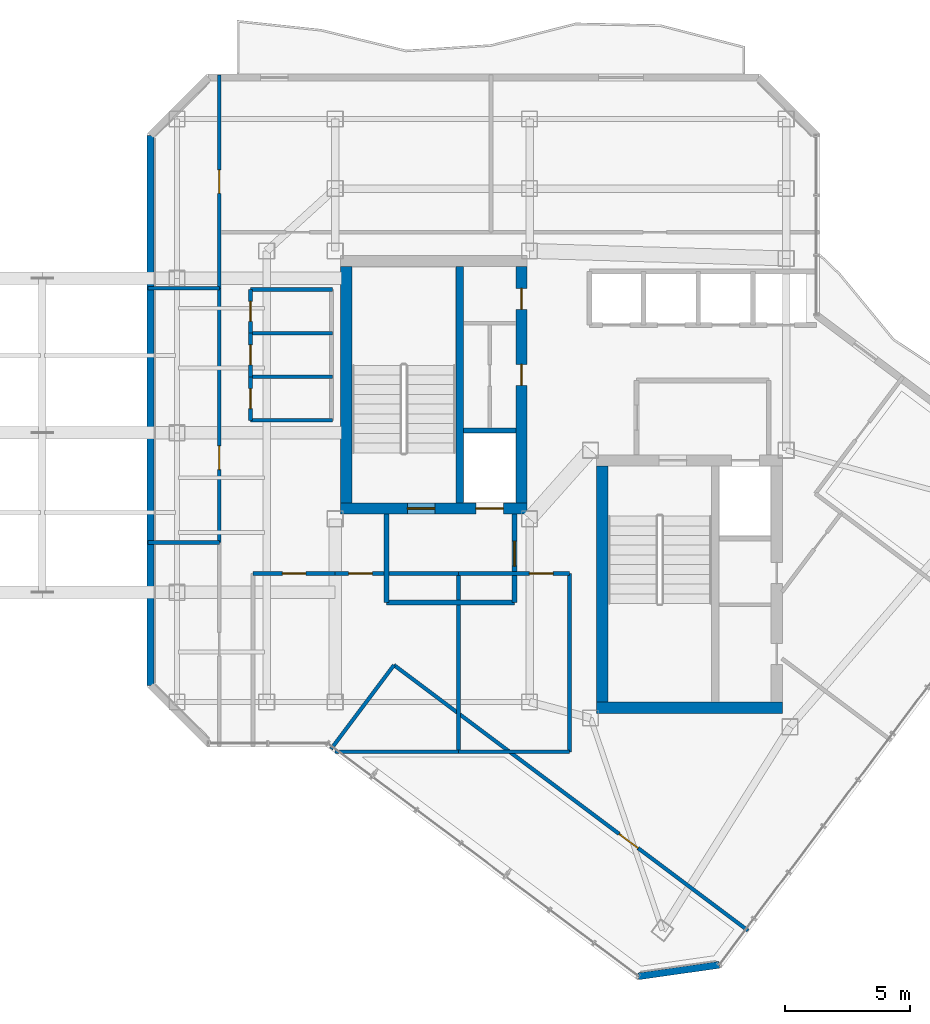
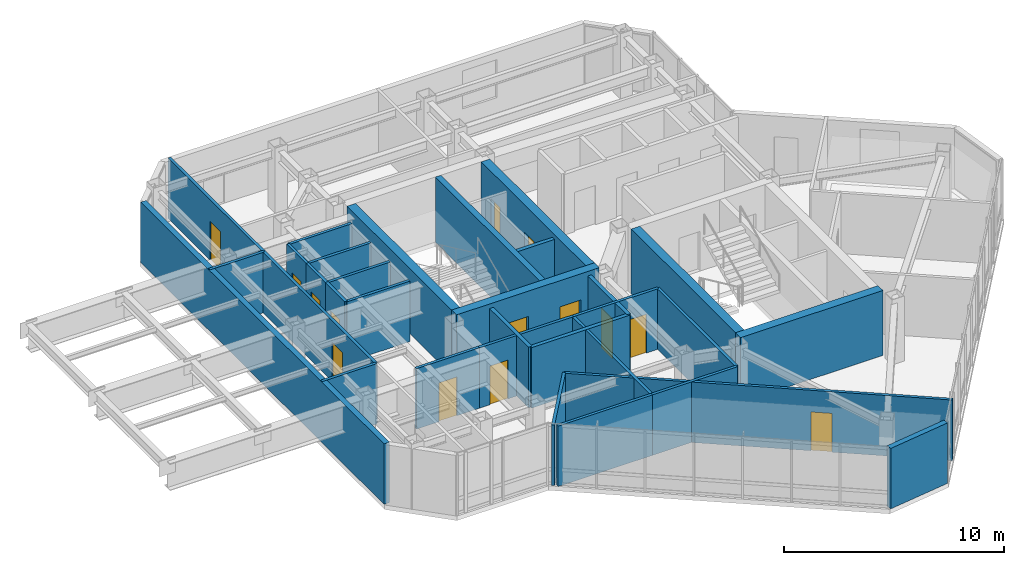
# One storey, part 12 of 17: 32 walls, 14 doors, 14 openings.
"""IFC4 building model written with IfcOpenShell, lengths in metres."""

from ifc_helpers import new_model, si_unit, direction, frame, frame_2d, origin, place, context, subcontext, project, spatial, rectangle, extrude, material, layer, layer_set, type_object, element, fill, save


model = new_model("IFC4")

# Units and contexts
model_context = context("Model", 3, precision=1e-05, world=origin(), true_north=direction((0.0, 1.0)))
body_context = subcontext(model_context, "Body", "Model", "MODEL_VIEW")
ifc_project = project(units=[si_unit("LENGTHUNIT", "METRE"), si_unit("AREAUNIT", "SQUARE_METRE"), si_unit("VOLUMEUNIT", "CUBIC_METRE"), si_unit("PLANEANGLEUNIT", "RADIAN"), si_unit("MASSUNIT", "GRAM", prefix="KILO")], contexts=[model_context])

# Site, building, storey
site_placement = place(None, origin())
site = spatial("IfcSite", under=ifc_project, at=site_placement, CompositionType="ELEMENT")
building_placement = place(site_placement, origin())
building = spatial("IfcBuilding", under=site, at=building_placement, Name="Hatsunagi Terrace Concourse", CompositionType="ELEMENT")
storey_placement = place(building_placement, frame((0.0, 0.0, 253.949951171875)))
storey = spatial("IfcBuildingStorey", under=building, at=storey_placement, Name="L67", CompositionType="ELEMENT", Elevation=253.949951171875)

# Wall, openings, doors
ifc_material_1 = material(Name="Concrete Fc42", Category="concrete")
ifc_layer_1 = layer(ifc_material_1, 0.449951171875)
ifc_layer_set_1 = layer_set([ifc_layer_1], Name="CoreShearWall_Fc42_450")
wall_type_1 = type_object("IfcWallType", Name="CoreShearWall_Fc42_450", PredefinedType="SHEAR", material=ifc_layer_set_1)
wall_1_placement = place(storey_placement, frame((25.77001953125, 32.965087890625, 0.0), z_axis=(0.0, 0.0, 1.0), x_axis=(1.0, 0.0, 0.0)))
wall_1 = element("IfcWall", 1, at=wall_1_placement, inside=storey, type_object=wall_type_1, Name="Core A Shear Wall S L67", PredefinedType="SHEAR", context=body_context, shape_type="SweptSolid", body=[
    extrude(rectangle(XDim=7.47998046875, YDim=0.449951171875, at=frame_2d((3.739990234375, 0.0))), origin(), (0.0, 0.0, 1.0), 3.60009765625),
])
opening_1_placement = place(wall_1_placement, frame((2.679931640625, 0.0, 0.0)))
opening_1 = element("IfcOpeningElement", 2, at=opening_1_placement, cuts=wall_1, Name="Opening DR-110S", PredefinedType="OPENING", context=body_context, shape_type="SweptSolid", body=[
    extrude(rectangle(XDim=1.10009765625, YDim=2.199951171875, at=frame_2d((0.550048828125, 1.10009765625))), frame((0.0, 0.23486328125, 0.0), z_axis=(0.0, -1.0, 0.0), x_axis=(1.0, 0.0, 0.0)), (0.0, 0.0, 1.0), 0.469970703125),
])
opening_2_placement = place(wall_1_placement, frame((5.429931640625, 0.0, 0.0)))
opening_2 = element("IfcOpeningElement", 3, at=opening_2_placement, cuts=wall_1, Name="Opening LD-01", PredefinedType="OPENING", context=body_context, shape_type="SweptSolid", body=[
    extrude(rectangle(XDim=1.10009765625, YDim=2.14990234375, at=frame_2d((0.550048828125, 1.074951171875))), frame((0.0, 0.23486328125, 0.0), z_axis=(0.0, -1.0, 0.0), x_axis=(1.0, 0.0, 0.0)), (0.0, 0.0, 1.0), 0.469970703125),
])
ifc_material_2 = material(Name="Stainless steel", Category="steel")
door_type_1 = type_object("IfcDoorType", Name="LiftLandingDoor_LD01", OperationType="SLIDING_TO_LEFT", PredefinedType="USERDEFINED", material=ifc_material_2)
door_1_placement = place(opening_2_placement, origin())
door_1 = element("IfcDoor", 4, at=door_1_placement, inside=storey, type_object=door_type_1, Name="Lift landing door FF-01 L67", ObjectType="SLIDING_LANDING_DOOR", OperationType="SLIDING_TO_LEFT", OverallHeight=2.14990234375, OverallWidth=1.10009765625, PredefinedType="USERDEFINED", context=body_context, shape_type="SweptSolid", body=[
    extrude(rectangle(XDim=1.10009765625, YDim=2.14990234375, at=frame_2d((0.550048828125, 1.074951171875))), frame((0.0, 0.02490234375, 0.0), z_axis=(0.0, -1.0, 0.0), x_axis=(1.0, 0.0, 0.0)), (0.0, 0.0, 1.0), 0.050048828125),
])
fill(opening_2, door_1)
ifc_material_3 = material(Name="Painted steel", Category="steel")
door_type_2 = type_object("IfcDoorType", Name="StairFireDoor_EI60_1100", OperationType="NOTDEFINED", PredefinedType="DOOR", material=ifc_material_3)
door_2_placement = place(opening_1_placement, origin())
door_2 = element("IfcDoor", 5, at=door_2_placement, inside=storey, type_object=door_type_2, Name="Stair ST-A Exit Door L67", OperationType="SINGLE_SWING_LEFT", OverallHeight=2.199951171875, OverallWidth=1.10009765625, PredefinedType="DOOR", context=body_context, shape_type="SweptSolid", body=[
    extrude(rectangle(XDim=1.10009765625, YDim=2.199951171875, at=frame_2d((0.550048828125, 1.10009765625))), frame((0.0, 0.02490234375, 0.0), z_axis=(0.0, -1.0, 0.0), x_axis=(1.0, 0.0, 0.0)), (0.0, 0.0, 1.0), 0.050048828125),
])
fill(opening_1, door_2)

# Wall
wall_2_placement = place(storey_placement, frame((25.9951171875, 33.18994140625, 0.0), z_axis=(0.0, 0.0, 1.0), x_axis=(0.0, 1.0, 0.0)))
element("IfcWall", 6, at=wall_2_placement, inside=storey, type_object=wall_type_1, Name="Core A Shear Wall W L67", PredefinedType="SHEAR", context=body_context, shape_type="SweptSolid", body=[
    extrude(rectangle(XDim=9.47998046875, YDim=0.449951171875, at=frame_2d((4.739990234375, 0.0))), origin(), (0.0, 0.0, 1.0), 3.60009765625),
])

# Wall, openings, doors
wall_3_placement = place(storey_placement, frame((33.02490234375, 33.18994140625, 0.0), z_axis=(0.0, 0.0, 1.0), x_axis=(0.0, 1.0, 0.0)))
wall_3 = element("IfcWall", 7, at=wall_3_placement, inside=storey, type_object=wall_type_1, Name="Core A Shear Wall E L67", PredefinedType="SHEAR", context=body_context, shape_type="SweptSolid", body=[
    extrude(rectangle(XDim=9.47998046875, YDim=0.449951171875, at=frame_2d((4.739990234375, 0.0))), origin(), (0.0, 0.0, 1.0), 3.60009765625),
])
opening_3_placement = place(wall_3_placement, frame((4.7099609375, 0.0, 0.0)))
opening_3 = element("IfcOpeningElement", 8, at=opening_3_placement, cuts=wall_3, Name="Opening DR-085", PredefinedType="OPENING", context=body_context, shape_type="SweptSolid", body=[
    extrude(rectangle(XDim=0.85009765625, YDim=2.080078125, at=frame_2d((0.425048828125, 1.0400390625))), frame((0.0, 0.23486328125, 0.0), z_axis=(0.0, -1.0, 0.0), x_axis=(1.0, 0.0, 0.0)), (0.0, 0.0, 1.0), 0.469970703125),
])
opening_4_placement = place(wall_3_placement, frame((7.760009765625, 0.0, 0.0)))
opening_4 = element("IfcOpeningElement", 9, at=opening_4_placement, cuts=wall_3, Name="Opening DR-085", PredefinedType="OPENING", context=body_context, shape_type="SweptSolid", body=[
    extrude(rectangle(XDim=0.85009765625, YDim=2.080078125, at=frame_2d((0.425048828125, 1.0400390625))), frame((0.0, 0.23486328125, 0.0), z_axis=(0.0, -1.0, 0.0), x_axis=(1.0, 0.0, 0.0)), (0.0, 0.0, 1.0), 0.469970703125),
])
ifc_material_4 = material(Name="Painted steel", Category="steel")
door_type_3 = type_object("IfcDoorType", Name="RiserAccessDoor_EI60_850", OperationType="NOTDEFINED", PredefinedType="DOOR", material=ifc_material_4)
door_3_placement = place(opening_3_placement, origin())
door_3 = element("IfcDoor", 10, at=door_3_placement, inside=storey, type_object=door_type_3, Name="Core A Riser Door L67-1", OperationType="SINGLE_SWING_LEFT", OverallHeight=2.080078125, OverallWidth=0.85009765625, PredefinedType="DOOR", context=body_context, shape_type="SweptSolid", body=[
    extrude(rectangle(XDim=0.85009765625, YDim=2.080078125, at=frame_2d((0.425048828125, 1.0400390625))), frame((0.0, 0.02490234375, 0.0), z_axis=(0.0, -1.0, 0.0), x_axis=(1.0, 0.0, 0.0)), (0.0, 0.0, 1.0), 0.050048828125),
])
fill(opening_3, door_3)
door_4_placement = place(opening_4_placement, origin())
door_4 = element("IfcDoor", 11, at=door_4_placement, inside=storey, type_object=door_type_3, Name="Core A Riser Door L67-2", OperationType="SINGLE_SWING_LEFT", OverallHeight=2.080078125, OverallWidth=0.85009765625, PredefinedType="DOOR", context=body_context, shape_type="SweptSolid", body=[
    extrude(rectangle(XDim=0.85009765625, YDim=2.080078125, at=frame_2d((0.425048828125, 1.0400390625))), frame((0.0, 0.02490234375, 0.0), z_axis=(0.0, -1.0, 0.0), x_axis=(1.0, 0.0, 0.0)), (0.0, 0.0, 1.0), 0.050048828125),
])
fill(opening_4, door_4)

# Walls
wall_4_placement = place(storey_placement, frame((36.0400390625, 24.965087890625, 0.0), z_axis=(0.0, 0.0, 1.0), x_axis=(1.0, 0.0, 0.0)))
element("IfcWall", 12, at=wall_4_placement, inside=storey, type_object=wall_type_1, Name="Core B Shear Wall S L67", PredefinedType="SHEAR", context=body_context, shape_type="SweptSolid", body=[
    extrude(rectangle(XDim=7.4599609375, YDim=0.449951171875, at=frame_2d((3.72998046875, 0.0))), origin(), (0.0, 0.0, 1.0), 3.60009765625),
])
wall_5_placement = place(storey_placement, frame((36.264892578125, 25.18994140625, 0.0), z_axis=(0.0, 0.0, 1.0), x_axis=(0.0, 1.0, 0.0)))
element("IfcWall", 13, at=wall_5_placement, inside=storey, type_object=wall_type_1, Name="Core B Shear Wall W L67", PredefinedType="SHEAR", context=body_context, shape_type="SweptSolid", body=[
    extrude(rectangle(XDim=9.47998046875, YDim=0.449951171875, at=frame_2d((4.739990234375, 0.0))), origin(), (0.0, 0.0, 1.0), 3.60009765625),
])
ifc_material_5 = material(Name="Concrete Fc48", Category="concrete")
ifc_layer_2 = layer(ifc_material_5, 0.300048828125)
ifc_layer_set_2 = layer_set([ifc_layer_2], Name="CoreStairDivider_Fc48_300")
wall_type_2 = type_object("IfcWallType", Name="CoreStairDivider_Fc48_300", PredefinedType="SHEAR", material=ifc_layer_set_2)
wall_6_placement = place(storey_placement, frame((30.5400390625, 33.18994140625, 0.0), z_axis=(0.0, 0.0, 1.0), x_axis=(0.0, 1.0, 0.0)))
element("IfcWall", 14, at=wall_6_placement, inside=storey, type_object=wall_type_2, Name="Core A Shear Wall D L67", PredefinedType="SHEAR", context=body_context, shape_type="SweptSolid", body=[
    extrude(rectangle(XDim=9.47998046875, YDim=0.300048828125, at=frame_2d((4.739990234375, 0.0))), origin(), (0.0, 0.0, 1.0), 3.60009765625),
])
ifc_material_6 = material(Name="Acoustic mineral board", Category="gypsum")
ifc_layer_3 = layer(ifc_material_6, 0.14990234375)
ifc_layer_set_3 = layer_set([ifc_layer_3], Name="PartitionWall_EI60_150")
wall_type_3 = type_object("IfcWallType", Name="PartitionWall_EI60_150", PredefinedType="PARTITIONING", material=ifc_layer_set_3)
for number, where, z_axis, x_axis, name in (
    (15, (22.14990234375, 36.5, 0.0), (0.0, 0.0, 1.0), (1.0, 0.0, 0.0), "Interior Partition IW-L67-018"),
    (16, (22.14990234375, 41.75, 0.0), (0.0, 0.0, 1.0), (1.0, 0.0, 0.0), "Interior Partition IW-L67-019"),
    (17, (22.14990234375, 38.25, 0.0), (0.0, 0.0, 1.0), (1.0, 0.0, 0.0), "Interior Partition IW-L67-021"),
    (18, (22.14990234375, 40.0, 0.0), (0.0, 0.0, 1.0), (1.0, 0.0, 0.0), "Interior Partition IW-L67-022"),
):
    element("IfcWall", number, at=place(storey_placement, frame(where, z_axis=z_axis, x_axis=x_axis)), inside=storey, type_object=wall_type_3, Name=name, PredefinedType="PARTITIONING", context=body_context, shape_type="SweptSolid", body=[
        extrude(rectangle(XDim=3.300048828125, YDim=0.14990234375, at=frame_2d((1.64990234375, 0.0))), origin(), (0.0, 0.0, 1.0), 3.35009765625),
    ])

# Wall, opening, door
wall_7_placement = place(storey_placement, frame((22.14990234375, 36.5, 0.0), z_axis=(0.0, 0.0, 1.0), x_axis=(0.0, 1.0, 0.0)))
wall_7 = element("IfcWall", 19, at=wall_7_placement, inside=storey, type_object=wall_type_3, Name="Interior Partition IW-L67-023", PredefinedType="PARTITIONING", context=body_context, shape_type="SweptSolid", body=[
    extrude(rectangle(XDim=1.75, YDim=0.14990234375, at=frame_2d((0.875, 0.0))), origin(), (0.0, 0.0, 1.0), 3.35009765625),
])
opening_5_placement = place(wall_7_placement, frame((0.47509765625, 0.0, 0.0)))
opening_5 = element("IfcOpeningElement", 20, at=opening_5_placement, cuts=wall_7, Name="Opening DR-080", PredefinedType="OPENING", context=body_context, shape_type="SweptSolid", body=[
    extrude(rectangle(XDim=0.800048828125, YDim=2.06005859375, at=frame_2d((0.39990234375, 1.030029296875))), frame((0.0, 0.0849609375, 0.0), z_axis=(0.0, -1.0, 0.0), x_axis=(1.0, 0.0, 0.0)), (0.0, 0.0, 1.0), 0.169921875),
])
ifc_material_7 = material(Name="Hardwood timber", Category="wood")
door_type_4 = type_object("IfcDoorType", Name="BathroomDoor_800", OperationType="NOTDEFINED", PredefinedType="DOOR", material=ifc_material_7)
door_5_placement = place(opening_5_placement, origin())
door_5 = element("IfcDoor", 21, at=door_5_placement, inside=storey, type_object=door_type_4, Name="Accessible WC Door L67", OperationType="SINGLE_SWING_RIGHT", OverallHeight=2.06005859375, OverallWidth=0.800048828125, PredefinedType="DOOR", context=body_context, shape_type="SweptSolid", body=[
    extrude(rectangle(XDim=0.800048828125, YDim=2.06005859375, at=frame_2d((0.39990234375, 1.030029296875))), frame((0.0, 0.02490234375, 0.0), z_axis=(0.0, -1.0, 0.0), x_axis=(1.0, 0.0, 0.0)), (0.0, 0.0, 1.0), 0.050048828125),
])
fill(opening_5, door_5)

wall_8_placement = place(storey_placement, frame((22.14990234375, 38.25, 0.0), z_axis=(0.0, 0.0, 1.0), x_axis=(0.0, 1.0, 0.0)))
wall_8 = element("IfcWall", 22, at=wall_8_placement, inside=storey, type_object=wall_type_3, Name="Interior Partition IW-L67-024", PredefinedType="PARTITIONING", context=body_context, shape_type="SweptSolid", body=[
    extrude(rectangle(XDim=1.75, YDim=0.14990234375, at=frame_2d((0.875, 0.0))), origin(), (0.0, 0.0, 1.0), 3.35009765625),
])
opening_6_placement = place(wall_8_placement, frame((0.47509765625, 0.0, 0.0)))
opening_6 = element("IfcOpeningElement", 23, at=opening_6_placement, cuts=wall_8, Name="Opening DR-080", PredefinedType="OPENING", context=body_context, shape_type="SweptSolid", body=[
    extrude(rectangle(XDim=0.800048828125, YDim=2.06005859375, at=frame_2d((0.39990234375, 1.030029296875))), frame((0.0, 0.0849609375, 0.0), z_axis=(0.0, -1.0, 0.0), x_axis=(1.0, 0.0, 0.0)), (0.0, 0.0, 1.0), 0.169921875),
])
door_6_placement = place(opening_6_placement, origin())
door_6 = element("IfcDoor", 24, at=door_6_placement, inside=storey, type_object=door_type_4, Name="Female Restroom Door L67", OperationType="SINGLE_SWING_RIGHT", OverallHeight=2.06005859375, OverallWidth=0.800048828125, PredefinedType="DOOR", context=body_context, shape_type="SweptSolid", body=[
    extrude(rectangle(XDim=0.800048828125, YDim=2.06005859375, at=frame_2d((0.39990234375, 1.030029296875))), frame((0.0, 0.02490234375, 0.0), z_axis=(0.0, -1.0, 0.0), x_axis=(1.0, 0.0, 0.0)), (0.0, 0.0, 1.0), 0.050048828125),
])
fill(opening_6, door_6)

wall_9_placement = place(storey_placement, frame((22.14990234375, 40.0, 0.0), z_axis=(0.0, 0.0, 1.0), x_axis=(0.0, 1.0, 0.0)))
wall_9 = element("IfcWall", 25, at=wall_9_placement, inside=storey, type_object=wall_type_3, Name="Interior Partition IW-L67-025", PredefinedType="PARTITIONING", context=body_context, shape_type="SweptSolid", body=[
    extrude(rectangle(XDim=1.75, YDim=0.14990234375, at=frame_2d((0.875, 0.0))), origin(), (0.0, 0.0, 1.0), 3.35009765625),
])
opening_7_placement = place(wall_9_placement, frame((0.47509765625, 0.0, 0.0)))
opening_7 = element("IfcOpeningElement", 26, at=opening_7_placement, cuts=wall_9, Name="Opening DR-080", PredefinedType="OPENING", context=body_context, shape_type="SweptSolid", body=[
    extrude(rectangle(XDim=0.800048828125, YDim=2.06005859375, at=frame_2d((0.39990234375, 1.030029296875))), frame((0.0, 0.0849609375, 0.0), z_axis=(0.0, -1.0, 0.0), x_axis=(1.0, 0.0, 0.0)), (0.0, 0.0, 1.0), 0.169921875),
])
door_7_placement = place(opening_7_placement, origin())
door_7 = element("IfcDoor", 27, at=door_7_placement, inside=storey, type_object=door_type_4, Name="Male Restroom Door L67", OperationType="SINGLE_SWING_LEFT", OverallHeight=2.06005859375, OverallWidth=0.800048828125, PredefinedType="DOOR", context=body_context, shape_type="SweptSolid", body=[
    extrude(rectangle(XDim=0.800048828125, YDim=2.06005859375, at=frame_2d((0.39990234375, 1.030029296875))), frame((0.0, 0.02490234375, 0.0), z_axis=(0.0, -1.0, 0.0), x_axis=(1.0, 0.0, 0.0)), (0.0, 0.0, 1.0), 0.050048828125),
])
fill(opening_7, door_7)

# Wall
wall_10_placement = place(storey_placement, frame((25.550048828125, 23.199951171875, 0.0), z_axis=(0.0, 0.0, 1.0), x_axis=(1.0, 0.0, 0.0)))
element("IfcWall", 28, at=wall_10_placement, inside=storey, type_object=wall_type_3, Name="Interior Partition IW-L67-026", PredefinedType="PARTITIONING", context=body_context, shape_type="SweptSolid", body=[
    extrude(rectangle(XDim=4.949951171875, YDim=0.14990234375, at=frame_2d((2.47509765625, 0.0))), origin(), (0.0, 0.0, 1.0), 3.35009765625),
])

# Wall, opening, door
wall_11_placement = place(storey_placement, frame((25.550048828125, 30.35009765625, 0.0), z_axis=(0.0, 0.0, 1.0), x_axis=(1.0, 0.0, 0.0)))
wall_11 = element("IfcWall", 29, at=wall_11_placement, inside=storey, type_object=wall_type_3, Name="Interior Partition IW-L67-027", PredefinedType="PARTITIONING", context=body_context, shape_type="SweptSolid", body=[
    extrude(rectangle(XDim=4.949951171875, YDim=0.14990234375, at=frame_2d((2.47509765625, 0.0))), origin(), (0.0, 0.0, 1.0), 3.35009765625),
])
opening_8_placement = place(wall_11_placement, frame((0.5419921875, 0.0, 0.0)))
opening_8 = element("IfcOpeningElement", 30, at=opening_8_placement, cuts=wall_11, Name="Opening DR-095", PredefinedType="OPENING", context=body_context, shape_type="SweptSolid", body=[
    extrude(rectangle(XDim=0.949951171875, YDim=2.14990234375, at=frame_2d((0.47509765625, 1.074951171875))), frame((0.0, 0.0849609375, 0.0), z_axis=(0.0, -1.0, 0.0), x_axis=(1.0, 0.0, 0.0)), (0.0, 0.0, 1.0), 0.169921875),
])
ifc_material_8 = material(Name="Hardwood timber", Category="wood")
door_type_5 = type_object("IfcDoorType", Name="InteriorSuiteDoor_EI30_950", OperationType="NOTDEFINED", PredefinedType="DOOR", material=ifc_material_8)
door_8_placement = place(opening_8_placement, origin())
door_8 = element("IfcDoor", 31, at=door_8_placement, inside=storey, type_object=door_type_5, Name="Executive Office L67-RECL1 Door", OperationType="SINGLE_SWING_RIGHT", OverallHeight=2.14990234375, OverallWidth=0.949951171875, PredefinedType="DOOR", context=body_context, shape_type="SweptSolid", body=[
    extrude(rectangle(XDim=0.949951171875, YDim=2.14990234375, at=frame_2d((0.47509765625, 1.074951171875))), frame((0.0, 0.02490234375, 0.0), z_axis=(0.0, -1.0, 0.0), x_axis=(1.0, 0.0, 0.0)), (0.0, 0.0, 1.0), 0.050048828125),
])
fill(opening_8, door_8)

# Walls
wall_12_placement = place(storey_placement, frame((30.5, 23.199951171875, 0.0), z_axis=(0.0, 0.0, 1.0), x_axis=(0.0, 1.0, 0.0)))
element("IfcWall", 32, at=wall_12_placement, inside=storey, type_object=wall_type_3, Name="Interior Partition IW-L67-029", PredefinedType="PARTITIONING", context=body_context, shape_type="SweptSolid", body=[
    extrude(rectangle(XDim=7.150146484375, YDim=0.14990234375, at=frame_2d((3.5751953125, 0.0))), origin(), (0.0, 0.0, 1.0), 3.35009765625),
])
wall_13_placement = place(storey_placement, frame((30.5, 23.199951171875, 0.0), z_axis=(0.0, 0.0, 1.0), x_axis=(1.0, 0.0, 0.0)))
element("IfcWall", 33, at=wall_13_placement, inside=storey, type_object=wall_type_3, Name="Interior Partition IW-L67-030", PredefinedType="PARTITIONING", context=body_context, shape_type="SweptSolid", body=[
    extrude(rectangle(XDim=4.449951171875, YDim=0.14990234375, at=frame_2d((2.22509765625, 0.0))), origin(), (0.0, 0.0, 1.0), 3.35009765625),
])

# Wall, opening, door
wall_14_placement = place(storey_placement, frame((30.5, 30.35009765625, 0.0), z_axis=(0.0, 0.0, 1.0), x_axis=(1.0, 0.0, 0.0)))
wall_14 = element("IfcWall", 34, at=wall_14_placement, inside=storey, type_object=wall_type_3, Name="Interior Partition IW-L67-031", PredefinedType="PARTITIONING", context=body_context, shape_type="SweptSolid", body=[
    extrude(rectangle(XDim=4.449951171875, YDim=0.14990234375, at=frame_2d((2.22509765625, 0.0))), origin(), (0.0, 0.0, 1.0), 3.35009765625),
])
opening_9_placement = place(wall_14_placement, frame((2.845947265625, 0.0, 0.0)))
opening_9 = element("IfcOpeningElement", 35, at=opening_9_placement, cuts=wall_14, Name="Opening DR-095", PredefinedType="OPENING", context=body_context, shape_type="SweptSolid", body=[
    extrude(rectangle(XDim=0.949951171875, YDim=2.14990234375, at=frame_2d((0.47509765625, 1.074951171875))), frame((0.0, 0.0849609375, 0.0), z_axis=(0.0, -1.0, 0.0), x_axis=(1.0, 0.0, 0.0)), (0.0, 0.0, 1.0), 0.169921875),
])
door_9_placement = place(opening_9_placement, origin())
door_9 = element("IfcDoor", 36, at=door_9_placement, inside=storey, type_object=door_type_5, Name="Client Consultation Room L67-RECL2 Door", OperationType="SINGLE_SWING_RIGHT", OverallHeight=2.14990234375, OverallWidth=0.949951171875, PredefinedType="DOOR", context=body_context, shape_type="SweptSolid", body=[
    extrude(rectangle(XDim=0.949951171875, YDim=2.14990234375, at=frame_2d((0.47509765625, 1.074951171875))), frame((0.0, 0.02490234375, 0.0), z_axis=(0.0, -1.0, 0.0), x_axis=(1.0, 0.0, 0.0)), (0.0, 0.0, 1.0), 0.050048828125),
])
fill(opening_9, door_9)

# Walls
wall_15_placement = place(storey_placement, frame((34.949951171875, 23.199951171875, 0.0), z_axis=(0.0, 0.0, 1.0), x_axis=(0.0, 1.0, 0.0)))
element("IfcWall", 37, at=wall_15_placement, inside=storey, type_object=wall_type_3, Name="Interior Partition IW-L67-032", PredefinedType="PARTITIONING", context=body_context, shape_type="SweptSolid", body=[
    extrude(rectangle(XDim=7.150146484375, YDim=0.14990234375, at=frame_2d((3.5751953125, 0.0))), origin(), (0.0, 0.0, 1.0), 3.35009765625),
])
for number, where, z_axis, x_axis, name in (
    (38, (18.0400390625, 31.60009765625, 0.0), (0.0, 0.0, 1.0), (1.0, 0.0, 0.0), "Interior Partition IW-L67-033"),
    (39, (18.0400390625, 41.800048828125, 0.0), (0.0, 0.0, 1.0), (1.0, 0.0, 0.0), "Interior Partition IW-L67-035"),
):
    element("IfcWall", number, at=place(storey_placement, frame(where, z_axis=z_axis, x_axis=x_axis)), inside=storey, type_object=wall_type_3, Name=name, PredefinedType="PARTITIONING", context=body_context, shape_type="SweptSolid", body=[
        extrude(rectangle(XDim=2.85986328125, YDim=0.14990234375, at=frame_2d((1.429931640625, 0.0))), origin(), (0.0, 0.0, 1.0), 3.35009765625),
    ])

# Wall, opening, door
wall_16_placement = place(storey_placement, frame((20.89990234375, 31.60009765625, 0.0), z_axis=(0.0, 0.0, 1.0), x_axis=(0.0, 1.0, 0.0)))
wall_16 = element("IfcWall", 40, at=wall_16_placement, inside=storey, type_object=wall_type_3, Name="Interior Partition IW-L67-036", PredefinedType="PARTITIONING", context=body_context, shape_type="SweptSolid", body=[
    extrude(rectangle(XDim=10.199951171875, YDim=0.14990234375, at=frame_2d((5.10009765625, 0.0))), origin(), (0.0, 0.0, 1.0), 3.35009765625),
])
opening_10_placement = place(wall_16_placement, frame((2.927001953125, 0.0, 0.0)))
opening_10 = element("IfcOpeningElement", 41, at=opening_10_placement, cuts=wall_16, Name="Opening DR-095", PredefinedType="OPENING", context=body_context, shape_type="SweptSolid", body=[
    extrude(rectangle(XDim=0.949951171875, YDim=2.14990234375, at=frame_2d((0.47509765625, 1.074951171875))), frame((0.0, 0.0849609375, 0.0), z_axis=(0.0, -1.0, 0.0), x_axis=(1.0, 0.0, 0.0)), (0.0, 0.0, 1.0), 0.169921875),
])
door_10_placement = place(opening_10_placement, origin())
door_10 = element("IfcDoor", 42, at=door_10_placement, inside=storey, type_object=door_type_5, Name="Design Studio L67-OW2 Door", OperationType="SINGLE_SWING_RIGHT", OverallHeight=2.14990234375, OverallWidth=0.949951171875, PredefinedType="DOOR", context=body_context, shape_type="SweptSolid", body=[
    extrude(rectangle(XDim=0.949951171875, YDim=2.14990234375, at=frame_2d((0.47509765625, 1.074951171875))), frame((0.0, 0.02490234375, 0.0), z_axis=(0.0, -1.0, 0.0), x_axis=(1.0, 0.0, 0.0)), (0.0, 0.0, 1.0), 0.050048828125),
])
fill(opening_10, door_10)

wall_17_placement = place(storey_placement, frame((20.89990234375, 41.800048828125, 0.0), z_axis=(0.0, 0.0, 1.0), x_axis=(0.0, 1.0, 0.0)))
wall_17 = element("IfcWall", 43, at=wall_17_placement, inside=storey, type_object=wall_type_3, Name="Interior Partition IW-L67-037", PredefinedType="PARTITIONING", context=body_context, shape_type="SweptSolid", body=[
    extrude(rectangle(XDim=8.56005859375, YDim=0.14990234375, at=frame_2d((4.280029296875, 0.0))), origin(), (0.0, 0.0, 1.0), 3.35009765625),
])
opening_11_placement = place(wall_17_placement, frame((3.804931640625, 0.0, 0.0)))
opening_11 = element("IfcOpeningElement", 44, at=opening_11_placement, cuts=wall_17, Name="Opening DR-095", PredefinedType="OPENING", context=body_context, shape_type="SweptSolid", body=[
    extrude(rectangle(XDim=0.949951171875, YDim=2.14990234375, at=frame_2d((0.47509765625, 1.074951171875))), frame((0.0, 0.0849609375, 0.0), z_axis=(0.0, -1.0, 0.0), x_axis=(1.0, 0.0, 0.0)), (0.0, 0.0, 1.0), 0.169921875),
])
door_11_placement = place(opening_11_placement, origin())
door_11 = element("IfcDoor", 45, at=door_11_placement, inside=storey, type_object=door_type_5, Name="Boardroom L67-OW3 Door", OperationType="SINGLE_SWING_RIGHT", OverallHeight=2.14990234375, OverallWidth=0.949951171875, PredefinedType="DOOR", context=body_context, shape_type="SweptSolid", body=[
    extrude(rectangle(XDim=0.949951171875, YDim=2.14990234375, at=frame_2d((0.47509765625, 1.074951171875))), frame((0.0, 0.02490234375, 0.0), z_axis=(0.0, -1.0, 0.0), x_axis=(1.0, 0.0, 0.0)), (0.0, 0.0, 1.0), 0.050048828125),
])
fill(opening_11, door_11)

wall_18_placement = place(storey_placement, frame((22.25, 30.35009765625, 0.0), z_axis=(0.0, 0.0, 1.0), x_axis=(1.0, 0.0, 0.0)))
wall_18 = element("IfcWall", 46, at=wall_18_placement, inside=storey, type_object=wall_type_3, Name="Interior Partition IW-L67-046", PredefinedType="PARTITIONING", context=body_context, shape_type="SweptSolid", body=[
    extrude(rectangle(XDim=3.300048828125, YDim=0.14990234375, at=frame_2d((1.64990234375, 0.0))), origin(), (0.0, 0.0, 1.0), 3.35009765625),
])
opening_12_placement = place(wall_18_placement, frame((1.175048828125, 0.0, 0.0)))
opening_12 = element("IfcOpeningElement", 47, at=opening_12_placement, cuts=wall_18, Name="Opening DR-095", PredefinedType="OPENING", context=body_context, shape_type="SweptSolid", body=[
    extrude(rectangle(XDim=0.949951171875, YDim=2.14990234375, at=frame_2d((0.47509765625, 1.074951171875))), frame((0.0, 0.0849609375, 0.0), z_axis=(0.0, -1.0, 0.0), x_axis=(1.0, 0.0, 0.0)), (0.0, 0.0, 1.0), 0.169921875),
])
door_12_placement = place(opening_12_placement, origin())
door_12 = element("IfcDoor", 48, at=door_12_placement, inside=storey, type_object=door_type_5, Name="Private Salon L67-OCSW Door", OperationType="SINGLE_SWING_RIGHT", OverallHeight=2.14990234375, OverallWidth=0.949951171875, PredefinedType="DOOR", context=body_context, shape_type="SweptSolid", body=[
    extrude(rectangle(XDim=0.949951171875, YDim=2.14990234375, at=frame_2d((0.47509765625, 1.074951171875))), frame((0.0, 0.02490234375, 0.0), z_axis=(0.0, -1.0, 0.0), x_axis=(1.0, 0.0, 0.0)), (0.0, 0.0, 1.0), 0.050048828125),
])
fill(opening_12, door_12)

wall_19_placement = place(storey_placement, frame((27.909912109375, 26.679931640625, 0.0), z_axis=(0.0, 0.0, 1.0), x_axis=(0.8, -0.6, 0.0)))
wall_19 = element("IfcWall", 49, at=wall_19_placement, inside=storey, type_object=wall_type_3, Name="Interior Partition IW-L67-048", PredefinedType="PARTITIONING", context=body_context, shape_type="SweptSolid", body=[
    extrude(rectangle(XDim=17.760009765625, YDim=0.14990234375, at=frame_2d((8.8798828125, 0.0))), origin(), (0.0, 0.0, 1.0), 3.35009765625),
])
opening_13_placement = place(wall_19_placement, frame((11.2939453125, 0.0, 0.0)))
opening_13 = element("IfcOpeningElement", 50, at=opening_13_placement, cuts=wall_19, Name="Opening DR-095", PredefinedType="OPENING", context=body_context, shape_type="SweptSolid", body=[
    extrude(rectangle(XDim=0.949951171875, YDim=2.14990234375, at=frame_2d((0.47509765625, 1.074951171875))), frame((0.0, 0.0849609375, 0.0), z_axis=(0.0, -1.0, 0.0), x_axis=(1.0, 0.0, 0.0)), (0.0, 0.0, 1.0), 0.169921875),
])
door_13_placement = place(opening_13_placement, origin())
door_13 = element("IfcDoor", 51, at=door_13_placement, inside=storey, type_object=door_type_5, Name="Research Focus Suite L67-OSWS Door", OperationType="SINGLE_SWING_LEFT", OverallHeight=2.14990234375, OverallWidth=0.949951171875, PredefinedType="DOOR", context=body_context, shape_type="SweptSolid", body=[
    extrude(rectangle(XDim=0.949951171875, YDim=2.14990234375, at=frame_2d((0.47509765625, 1.074951171875))), frame((0.0, 0.02490234375, 0.0), z_axis=(0.0, -1.0, 0.0), x_axis=(1.0, 0.0, 0.0)), (0.0, 0.0, 1.0), 0.050048828125),
])
fill(opening_13, door_13)

# Walls
wall_20_placement = place(storey_placement, frame((25.384033203125, 23.31201171875, 0.0), z_axis=(0.0, 0.0, 1.0), x_axis=(0.599990721155, 0.80000695905, 0.0)))
element("IfcWall", 52, at=wall_20_placement, inside=storey, type_object=wall_type_3, Name="Interior Partition IW-L67-049", PredefinedType="PARTITIONING", context=body_context, shape_type="SweptSolid", body=[
    extrude(rectangle(XDim=4.2099609375, YDim=0.14990234375, at=frame_2d((2.10498046875, 0.0))), origin(), (0.0, 0.0, 1.0), 3.35009765625),
])
ifc_material_9 = material(Name="Acoustic mineral board", Category="gypsum")
ifc_layer_4 = layer(ifc_material_9, 0.199951171875)
ifc_layer_set_4 = layer_set([ifc_layer_4], Name="ShaftWall_EI120_200")
wall_type_4 = type_object("IfcWallType", Name="ShaftWall_EI120_200", PredefinedType="STANDARD", material=ifc_layer_set_4)
wall_21_placement = place(storey_placement, frame((30.699951171875, 36.10009765625, 0.0), z_axis=(0.0, 0.0, 1.0), x_axis=(1.0, 0.0, 0.0)))
element("IfcWall", 53, at=wall_21_placement, inside=storey, type_object=wall_type_4, Name="Interior Partition IW-L67-001", PredefinedType="STANDARD", context=body_context, shape_type="SweptSolid", body=[
    extrude(rectangle(XDim=2.10009765625, YDim=0.199951171875, at=frame_2d((1.050048828125, 0.0))), origin(), (0.0, 0.0, 1.0), 3.35009765625),
])
wall_22_placement = place(storey_placement, frame((27.60009765625, 29.199951171875, 0.0), z_axis=(0.0, 0.0, 1.0), x_axis=(1.0, 0.0, 0.0)))
element("IfcWall", 54, at=wall_22_placement, inside=storey, type_object=wall_type_4, Name="Interior Partition IW-L67-006", PredefinedType="STANDARD", context=body_context, shape_type="SweptSolid", body=[
    extrude(rectangle(XDim=5.14990234375, YDim=0.199951171875, at=frame_2d((2.574951171875, 0.0))), origin(), (0.0, 0.0, 1.0), 3.35009765625),
])
wall_23_placement = place(storey_placement, frame((27.60009765625, 29.199951171875, 0.0), z_axis=(0.0, 0.0, 1.0), x_axis=(0.0, 1.0, 0.0)))
element("IfcWall", 55, at=wall_23_placement, inside=storey, type_object=wall_type_4, Name="Interior Partition IW-L67-007", PredefinedType="STANDARD", context=body_context, shape_type="SweptSolid", body=[
    extrude(rectangle(XDim=3.5400390625, YDim=0.199951171875, at=frame_2d((1.77001953125, 0.0))), origin(), (0.0, 0.0, 1.0), 3.35009765625),
])

# Wall, opening, door
wall_24_placement = place(storey_placement, frame((32.75, 29.199951171875, 0.0), z_axis=(0.0, 0.0, 1.0), x_axis=(0.0, 1.0, 0.0)))
wall_24 = element("IfcWall", 56, at=wall_24_placement, inside=storey, type_object=wall_type_4, Name="Interior Partition IW-L67-008", PredefinedType="STANDARD", context=body_context, shape_type="SweptSolid", body=[
    extrude(rectangle(XDim=3.5400390625, YDim=0.199951171875, at=frame_2d((1.77001953125, 0.0))), origin(), (0.0, 0.0, 1.0), 3.35009765625),
])
opening_14_placement = place(wall_24_placement, frame((1.449951171875, 0.0, 0.0)))
opening_14 = element("IfcOpeningElement", 57, at=opening_14_placement, cuts=wall_24, Name="Opening DR-100F", PredefinedType="OPENING", context=body_context, shape_type="SweptSolid", body=[
    extrude(rectangle(XDim=1.0, YDim=2.199951171875, at=frame_2d((0.5, 1.10009765625))), frame((0.0, 0.10986328125, 0.0), z_axis=(0.0, -1.0, 0.0), x_axis=(1.0, 0.0, 0.0)), (0.0, 0.0, 1.0), 0.219970703125),
])
ifc_material_10 = material(Name="Painted steel", Category="steel")
door_type_6 = type_object("IfcDoorType", Name="FireDoor_EI60_1000", OperationType="NOTDEFINED", PredefinedType="DOOR", material=ifc_material_10)
door_14_placement = place(opening_14_placement, origin())
door_14 = element("IfcDoor", 58, at=door_14_placement, inside=storey, type_object=door_type_6, Name="Firefighting Lobby A Door L67", OperationType="SINGLE_SWING_RIGHT", OverallHeight=2.199951171875, OverallWidth=1.0, PredefinedType="DOOR", context=body_context, shape_type="SweptSolid", body=[
    extrude(rectangle(XDim=1.0, YDim=2.199951171875, at=frame_2d((0.5, 1.10009765625))), frame((0.0, 0.02490234375, 0.0), z_axis=(0.0, -1.0, 0.0), x_axis=(1.0, 0.0, 0.0)), (0.0, 0.0, 1.0), 0.050048828125),
])
fill(opening_14, door_14)

# Walls
ifc_material_11 = material(Name="Autoclaved Lightweight Concrete and Terracotta Cladding", Category="masonry")
ifc_layer_5 = layer(ifc_material_11, 0.280029296875)
ifc_layer_set_5 = layer_set([ifc_layer_5], Name="TerracottaSpandrelWall_280")
wall_type_5 = type_object("IfcWallType", Name="TerracottaSpandrelWall_280", PredefinedType="STANDARD", material=ifc_layer_set_5)
wall_25_placement = place(storey_placement, frame((40.962890625, 14.64990234375, 0.0), z_axis=(0.0, 0.0, 1.0), x_axis=(-0.989977778067, -0.141223223777, 0.0)))
element("IfcWall", 59, at=wall_25_placement, inside=storey, type_object=wall_type_5, Name="Exterior Spandrel Wall EW-L67-04", PredefinedType="STANDARD", context=body_context, shape_type="SweptSolid", body=[
    extrude(rectangle(XDim=3.27783203125, YDim=0.280029296875, at=frame_2d((1.638916015625, 0.0))), origin(), (0.0, 0.0, 1.0), 3.35009765625),
])
wall_26_placement = place(storey_placement, frame((18.139892578125, 25.85791015625, 0.0), z_axis=(0.0, 0.0, 1.0), x_axis=(0.0, 1.0, 0.0)))
element("IfcWall", 60, at=wall_26_placement, inside=storey, type_object=wall_type_5, Name="Exterior Spandrel Wall EW-L67-08", PredefinedType="STANDARD", context=body_context, shape_type="SweptSolid", body=[
    extrude(rectangle(XDim=22.083984375, YDim=0.280029296875, at=frame_2d((11.0419921875, 0.0))), origin(), (0.0, 0.0, 1.0), 3.35009765625),
])

save(model, "model.ifc")
